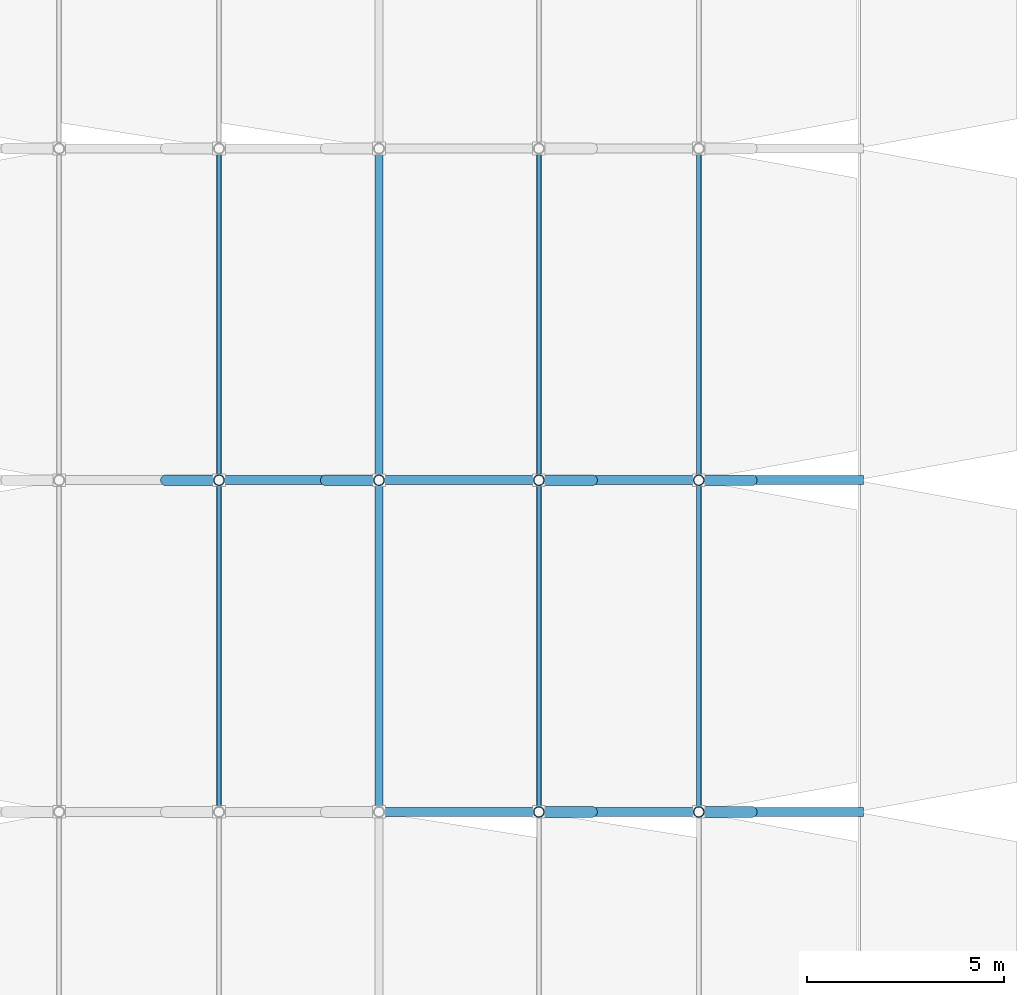
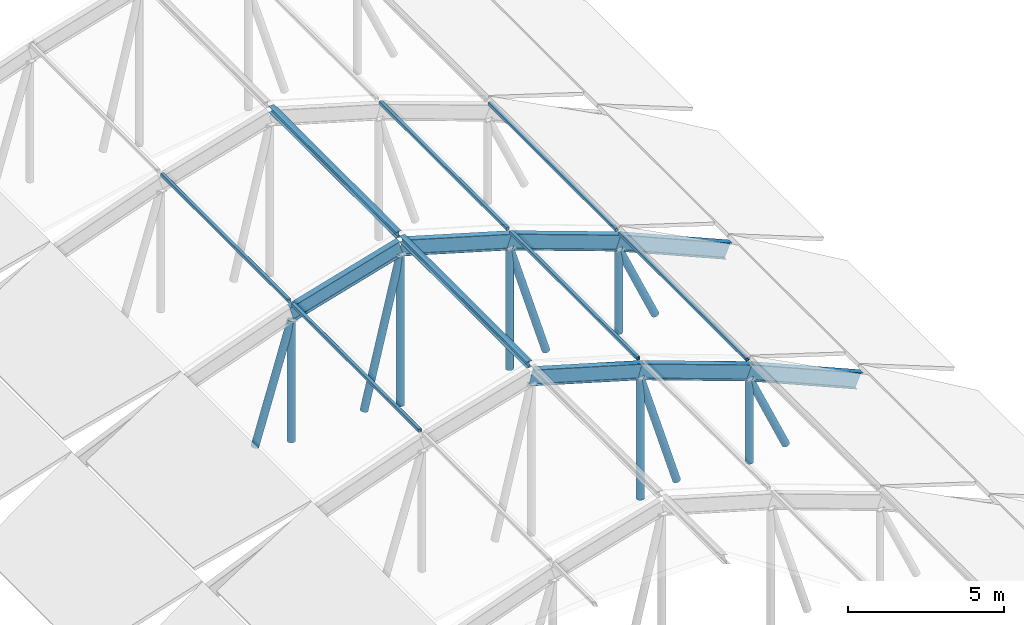
# One storey, part 9 of 22: 20 members, 7 beams.
"""IFC4 building model written with IfcOpenShell, lengths in metres."""

from ifc_helpers import new_model, si_unit, direction, frame, origin, origin_2d, place, context, subcontext, project, spatial, hollow_rectangle, hollow_circle, i_section, extrude, material, material_profile, profile_set, type_object, element, save


model = new_model("IFC4")

# Units and contexts
model_context = context("Model", 3, precision=1e-05, world=origin(), true_north=direction((0.0, 1.0)))
body_context = subcontext(model_context, "Body", "Model", "MODEL_VIEW")
ifc_project = project(units=[si_unit("LENGTHUNIT", "METRE"), si_unit("AREAUNIT", "SQUARE_METRE"), si_unit("VOLUMEUNIT", "CUBIC_METRE"), si_unit("PLANEANGLEUNIT", "RADIAN"), si_unit("MASSUNIT", "GRAM", prefix="KILO")], contexts=[model_context])

# Site, building, storey
site_placement = place(None, origin())
site = spatial("IfcSite", under=ifc_project, at=site_placement, CompositionType="ELEMENT")
building_placement = place(site_placement, origin())
building = spatial("IfcBuilding", under=site, at=building_placement, Name="Vireocrest Preparatory School", CompositionType="ELEMENT")
storey_placement = place(building_placement, frame((0.0, 0.0, 25.800048828125)))
storey = spatial("IfcBuildingStorey", under=building, at=storey_placement, Name="RF", CompositionType="ELEMENT", Elevation=25.800048828125)

# Members
ifc_material_1 = material(Name="Painted white steel ASTM A500 Grade C", Category="steel")
ifc_material_profile_1 = material_profile(ifc_material_1, hollow_rectangle(XDim=0.126953125, YDim=0.126953125, WallThickness=0.0087890625, InnerFilletRadius=0.0087890625, OuterFilletRadius=0.017822265625, at=origin_2d()), Name="HSS5X5X3/8")
ifc_profile_set_1 = profile_set([ifc_material_profile_1], Name="Painted white steel ASTM A500 Grade C")
member_type_1 = type_object("IfcMemberType", Name="Canopy Glass Steel Purlin HSS5X5X3/8", PredefinedType="PURLIN", material=ifc_profile_set_1)
for number, where, z_axis, x_axis, name in (
    (1, (75.75, 60.7099609375, 2.7919921875), (0.0, 1.0, 0.0), (-1.0, 0.0, 0.0), "Canopy Glass Purlin PR2-5-4"),
    (2, (83.85009765625, 60.7099609375, 2.7919921875), (0.0, 1.0, 0.0), (-1.0, 0.0, 0.0), "Canopy Glass Purlin PR2-5-6"),
    (3, (87.89990234375, 60.7099609375, 1.33203125), (0.0, 1.0, 0.0), (-1.0, 0.0, 0.0), "Canopy Glass Purlin PR2-5-7"),
    (4, (75.75, 69.110107421875, 2.7919921875), (0.0, 1.0, 0.0), (-1.0, 0.0, 0.0), "Canopy Glass Purlin PR2-6-4"),
    (5, (83.85009765625, 69.110107421875, 2.7919921875), (0.0, 1.0, 0.0), (-1.0, 0.0, 0.0), "Canopy Glass Purlin PR2-6-6"),
    (6, (87.89990234375, 69.110107421875, 1.33203125), (0.0, 1.0, 0.0), (-1.0, 0.0, 0.0), "Canopy Glass Purlin PR2-6-7"),
):
    element("IfcMember", number, at=place(storey_placement, frame(where, z_axis=z_axis, x_axis=x_axis)), inside=storey, type_object=member_type_1, Name=name, PredefinedType="PURLIN", context=body_context, shape_type="SweptSolid", body=[
        extrude(hollow_rectangle(XDim=0.126953125, YDim=0.126953125, WallThickness=0.0087890625, InnerFilletRadius=0.0087890625, OuterFilletRadius=0.017822265625, at=origin_2d()), origin(), (0.0, 0.0, 1.0), 8.179931640625),
    ])
ifc_material_2 = material(Name="Structural steel ASTM A992 Grade 50", Category="steel")
ifc_material_profile_2 = material_profile(ifc_material_2, i_section(OverallWidth=0.201904296875, OverallDepth=0.2470703125, WebThickness=0.00732421875, FlangeThickness=0.010986328125, FilletRadius=0.010986328125, at=origin_2d()), Name="W10X33")
ifc_profile_set_2 = profile_set([ifc_material_profile_2], Name="Structural steel ASTM A992 Grade 50")
member_type_2 = type_object("IfcMemberType", Name="Canopy Ridge Purlin W10X33", PredefinedType="PURLIN", material=ifc_profile_set_2)
for number, where, z_axis, x_axis, name in (
    (7, (79.800048828125, 60.7099609375, 3.971923828125), (0.0, 1.0, 0.0), (-1.0, 0.0, 0.0), "Canopy Glass Purlin PR3-5-5"),
    (8, (79.800048828125, 69.110107421875, 3.971923828125), (0.0, 1.0, 0.0), (-1.0, 0.0, 0.0), "Canopy Glass Purlin PR3-6-5"),
):
    element("IfcMember", number, at=place(storey_placement, frame(where, z_axis=z_axis, x_axis=x_axis)), inside=storey, type_object=member_type_2, Name=name, PredefinedType="PURLIN", context=body_context, shape_type="SweptSolid", body=[
        extrude(i_section(OverallWidth=0.201904296875, OverallDepth=0.2470703125, WebThickness=0.00732421875, FlangeThickness=0.010986328125, FilletRadius=0.010986328125, at=origin_2d()), origin(), (0.0, 0.0, 1.0), 8.179931640625),
    ])

# Beams
ifc_material_profile_3 = material_profile(ifc_material_2, i_section(OverallWidth=0.22802734375, OverallDepth=0.60302734375, WebThickness=0.010498046875, FlangeThickness=0.014892578125, FilletRadius=0.01611328125, at=origin_2d()), Name="W24X68")
ifc_profile_set_3 = profile_set([ifc_material_profile_3], Name="Structural steel ASTM A992 Grade 50")
beam_type = type_object("IfcBeamType", Name="Dining Pavilion Roof Girder W24X68", PredefinedType="BEAM", material=ifc_profile_set_3)
beam_1_placement = place(storey_placement, frame((79.800048828125, 60.60009765625, 3.574462890625), z_axis=(0.960069326573, 0.0, -0.279762199328), x_axis=(0.0, 1.0, 0.0)))
element("IfcBeam", 9, at=beam_1_placement, inside=storey, type_object=beam_type, Name="Canopy Rafter Chord SB4-5-5", PredefinedType="BEAM", context=body_context, shape_type="SweptSolid", body=[
    extrude(i_section(OverallWidth=0.22802734375, OverallDepth=0.60302734375, WebThickness=0.010498046875, FlangeThickness=0.014892578125, FilletRadius=0.01611328125, at=origin_2d()), origin(), (0.0, 0.0, 1.0), 4.218505859375),
])
beam_2_placement = place(storey_placement, frame((83.85009765625, 60.60009765625, 2.394287109375), z_axis=(0.94073694426, 0.0, -0.339137142915), x_axis=(0.0, 1.0, 0.0)))
element("IfcBeam", 10, at=beam_2_placement, inside=storey, type_object=beam_type, Name="Canopy Rafter Chord SB4-5-6", PredefinedType="BEAM", context=body_context, shape_type="SweptSolid", body=[
    extrude(i_section(OverallWidth=0.22802734375, OverallDepth=0.60302734375, WebThickness=0.010498046875, FlangeThickness=0.014892578125, FilletRadius=0.01611328125, at=origin_2d()), origin(), (0.0, 0.0, 1.0), 4.304931640625),
])
beam_3_placement = place(storey_placement, frame((87.89990234375, 60.60009765625, 0.934326171875), z_axis=(0.918795164694, 0.0, -0.394734651804), x_axis=(0.0, 1.0, 0.0)))
element("IfcBeam", 11, at=beam_3_placement, inside=storey, type_object=beam_type, Name="Canopy Rafter Chord SB4-5-7", PredefinedType="BEAM", context=body_context, shape_type="SweptSolid", body=[
    extrude(i_section(OverallWidth=0.22802734375, OverallDepth=0.60302734375, WebThickness=0.010498046875, FlangeThickness=0.014892578125, FilletRadius=0.01611328125, at=origin_2d()), origin(), (0.0, 0.0, 1.0), 4.407958984375),
])
for number, where, z_axis, x_axis, name in (
    (12, (75.75, 69.0, 2.394287109375), (0.960069326573, 0.0, 0.279762199328), (0.0, 1.0, 0.0), "Canopy Rafter Chord SB4-6-4"),
    (13, (79.800048828125, 69.0, 3.574462890625), (0.960069326573, 0.0, -0.279762199328), (0.0, 1.0, 0.0), "Canopy Rafter Chord SB4-6-5"),
):
    element("IfcBeam", number, at=place(storey_placement, frame(where, z_axis=z_axis, x_axis=x_axis)), inside=storey, type_object=beam_type, Name=name, PredefinedType="BEAM", context=body_context, shape_type="SweptSolid", body=[
        extrude(i_section(OverallWidth=0.22802734375, OverallDepth=0.60302734375, WebThickness=0.010498046875, FlangeThickness=0.014892578125, FilletRadius=0.01611328125, at=origin_2d()), origin(), (0.0, 0.0, 1.0), 4.218505859375),
    ])
beam_4_placement = place(storey_placement, frame((83.85009765625, 69.0, 2.394287109375), z_axis=(0.94073694426, 0.0, -0.339137142915), x_axis=(0.0, 1.0, 0.0)))
element("IfcBeam", 14, at=beam_4_placement, inside=storey, type_object=beam_type, Name="Canopy Rafter Chord SB4-6-6", PredefinedType="BEAM", context=body_context, shape_type="SweptSolid", body=[
    extrude(i_section(OverallWidth=0.22802734375, OverallDepth=0.60302734375, WebThickness=0.010498046875, FlangeThickness=0.014892578125, FilletRadius=0.01611328125, at=origin_2d()), origin(), (0.0, 0.0, 1.0), 4.304931640625),
])
beam_5_placement = place(storey_placement, frame((87.89990234375, 69.0, 0.934326171875), z_axis=(0.918795164694, 0.0, -0.394734651804), x_axis=(0.0, 1.0, 0.0)))
element("IfcBeam", 15, at=beam_5_placement, inside=storey, type_object=beam_type, Name="Canopy Rafter Chord SB4-6-7", PredefinedType="BEAM", context=body_context, shape_type="SweptSolid", body=[
    extrude(i_section(OverallWidth=0.22802734375, OverallDepth=0.60302734375, WebThickness=0.010498046875, FlangeThickness=0.014892578125, FilletRadius=0.01611328125, at=origin_2d()), origin(), (0.0, 0.0, 1.0), 4.407958984375),
])

# Members
ifc_material_profile_4 = material_profile(ifc_material_1, hollow_circle(Radius=0.136474609375, WallThickness=0.0126953125, at=origin_2d()), Name="HSS10.750X0.500")
ifc_profile_set_4 = profile_set([ifc_material_profile_4], Name="Painted white steel ASTM A500 Grade C")
member_type_3 = type_object("IfcMemberType", Name="White Steel Clerestory Strut HSS10.750X0.500", PredefinedType="USERDEFINED", material=ifc_profile_set_4)
member_1_placement = place(storey_placement, frame((83.85009765625, 60.60009765625, -2.62255859375), z_axis=(0.0, 0.0, 1.0), x_axis=(1.0, 0.0, 0.0)))
element("IfcMember", 16, at=member_1_placement, inside=storey, type_object=member_type_3, Name="Canopy Truss Web Vertical VS3-5-6", ObjectType="STRUT", PredefinedType="USERDEFINED", context=body_context, shape_type="SweptSolid", body=[
    extrude(hollow_circle(Radius=0.136474609375, WallThickness=0.0126953125, at=origin_2d()), origin(), (0.0, 0.0, 1.0), 4.740478515625),
])
member_2_placement = place(storey_placement, frame((87.89990234375, 60.60009765625, -2.62255859375), z_axis=(0.0, 0.0, 1.0), x_axis=(1.0, 0.0, 0.0)))
element("IfcMember", 17, at=member_2_placement, inside=storey, type_object=member_type_3, Name="Canopy Truss Web Vertical VS3-5-7", ObjectType="STRUT", PredefinedType="USERDEFINED", context=body_context, shape_type="SweptSolid", body=[
    extrude(hollow_circle(Radius=0.136474609375, WallThickness=0.0126953125, at=origin_2d()), origin(), (0.0, 0.0, 1.0), 3.280517578125),
])
member_3_placement = place(storey_placement, frame((85.199951171875, 60.60009765625, -2.385009765625), z_axis=(-0.287147763375, 0.0, 0.957886299092), x_axis=(0.0, -1.0, 0.0)))
element("IfcMember", 18, at=member_3_placement, inside=storey, type_object=member_type_3, Name="Canopy Truss Web Strut VS3-5-5", ObjectType="STRUT", PredefinedType="USERDEFINED", context=body_context, shape_type="SweptSolid", body=[
    extrude(hollow_circle(Radius=0.136474609375, WallThickness=0.0126953125, at=origin_2d()), origin(), (0.0, 0.0, 1.0), 4.700927734375),
])
member_4_placement = place(storey_placement, frame((89.25, 60.60009765625, -2.385009765625), z_axis=(-0.405553199474, 0.0, 0.91407144272), x_axis=(0.0, -1.0, 0.0)))
element("IfcMember", 19, at=member_4_placement, inside=storey, type_object=member_type_3, Name="Canopy Truss Web Strut VS3-5-6", ObjectType="STRUT", PredefinedType="USERDEFINED", context=body_context, shape_type="SweptSolid", body=[
    extrude(hollow_circle(Radius=0.136474609375, WallThickness=0.0126953125, at=origin_2d()), origin(), (0.0, 0.0, 1.0), 3.3291015625),
])
member_5_placement = place(storey_placement, frame((75.75, 69.0, -2.62255859375), z_axis=(0.0, 0.0, 1.0), x_axis=(1.0, 0.0, 0.0)))
element("IfcMember", 20, at=member_5_placement, inside=storey, type_object=member_type_3, Name="Canopy Truss Web Vertical VS3-6-4", ObjectType="STRUT", PredefinedType="USERDEFINED", context=body_context, shape_type="SweptSolid", body=[
    extrude(hollow_circle(Radius=0.136474609375, WallThickness=0.0126953125, at=origin_2d()), origin(), (0.0, 0.0, 1.0), 4.740478515625),
])
member_6_placement = place(storey_placement, frame((79.800048828125, 69.0, -2.62255859375), z_axis=(0.0, 0.0, 1.0), x_axis=(1.0, 0.0, 0.0)))
element("IfcMember", 21, at=member_6_placement, inside=storey, type_object=member_type_3, Name="Canopy Truss Web Vertical VS3-6-5", ObjectType="STRUT", PredefinedType="USERDEFINED", context=body_context, shape_type="SweptSolid", body=[
    extrude(hollow_circle(Radius=0.136474609375, WallThickness=0.0126953125, at=origin_2d()), origin(), (0.0, 0.0, 1.0), 5.92041015625),
])
member_7_placement = place(storey_placement, frame((83.85009765625, 69.0, -2.62255859375), z_axis=(0.0, 0.0, 1.0), x_axis=(1.0, 0.0, 0.0)))
element("IfcMember", 22, at=member_7_placement, inside=storey, type_object=member_type_3, Name="Canopy Truss Web Vertical VS3-6-6", ObjectType="STRUT", PredefinedType="USERDEFINED", context=body_context, shape_type="SweptSolid", body=[
    extrude(hollow_circle(Radius=0.136474609375, WallThickness=0.0126953125, at=origin_2d()), origin(), (0.0, 0.0, 1.0), 4.740478515625),
])
member_8_placement = place(storey_placement, frame((87.89990234375, 69.0, -2.62255859375), z_axis=(0.0, 0.0, 1.0), x_axis=(1.0, 0.0, 0.0)))
element("IfcMember", 23, at=member_8_placement, inside=storey, type_object=member_type_3, Name="Canopy Truss Web Vertical VS3-6-7", ObjectType="STRUT", PredefinedType="USERDEFINED", context=body_context, shape_type="SweptSolid", body=[
    extrude(hollow_circle(Radius=0.136474609375, WallThickness=0.0126953125, at=origin_2d()), origin(), (0.0, 0.0, 1.0), 3.280517578125),
])
member_9_placement = place(storey_placement, frame((74.39990234375, 69.0, -2.385009765625), z_axis=(0.287195414927, 0.0, 0.957872013186), x_axis=(0.0, 1.0, 0.0)))
element("IfcMember", 24, at=member_9_placement, inside=storey, type_object=member_type_3, Name="Canopy Truss Web Strut VS3-6-3", ObjectType="STRUT", PredefinedType="USERDEFINED", context=body_context, shape_type="SweptSolid", body=[
    extrude(hollow_circle(Radius=0.136474609375, WallThickness=0.0126953125, at=origin_2d()), origin(), (0.0, 0.0, 1.0), 4.700927734375),
])
member_10_placement = place(storey_placement, frame((78.449951171875, 69.0, -2.385009765625), z_axis=(0.231140186577, 0.0, 0.972920456229), x_axis=(0.0, 1.0, 0.0)))
element("IfcMember", 25, at=member_10_placement, inside=storey, type_object=member_type_3, Name="Canopy Truss Web Strut VS3-6-4", ObjectType="STRUT", PredefinedType="USERDEFINED", context=body_context, shape_type="SweptSolid", body=[
    extrude(hollow_circle(Radius=0.136474609375, WallThickness=0.0126953125, at=origin_2d()), origin(), (0.0, 0.0, 1.0), 5.841064453125),
])
member_11_placement = place(storey_placement, frame((85.199951171875, 69.0, -2.385009765625), z_axis=(-0.287147763375, 0.0, 0.957886299092), x_axis=(0.0, -1.0, 0.0)))
element("IfcMember", 26, at=member_11_placement, inside=storey, type_object=member_type_3, Name="Canopy Truss Web Strut VS3-6-5", ObjectType="STRUT", PredefinedType="USERDEFINED", context=body_context, shape_type="SweptSolid", body=[
    extrude(hollow_circle(Radius=0.136474609375, WallThickness=0.0126953125, at=origin_2d()), origin(), (0.0, 0.0, 1.0), 4.700927734375),
])
member_12_placement = place(storey_placement, frame((89.25, 69.0, -2.385009765625), z_axis=(-0.405553199474, 0.0, 0.91407144272), x_axis=(0.0, -1.0, 0.0)))
element("IfcMember", 27, at=member_12_placement, inside=storey, type_object=member_type_3, Name="Canopy Truss Web Strut VS3-6-6", ObjectType="STRUT", PredefinedType="USERDEFINED", context=body_context, shape_type="SweptSolid", body=[
    extrude(hollow_circle(Radius=0.136474609375, WallThickness=0.0126953125, at=origin_2d()), origin(), (0.0, 0.0, 1.0), 3.3291015625),
])

save(model, "model.ifc")
